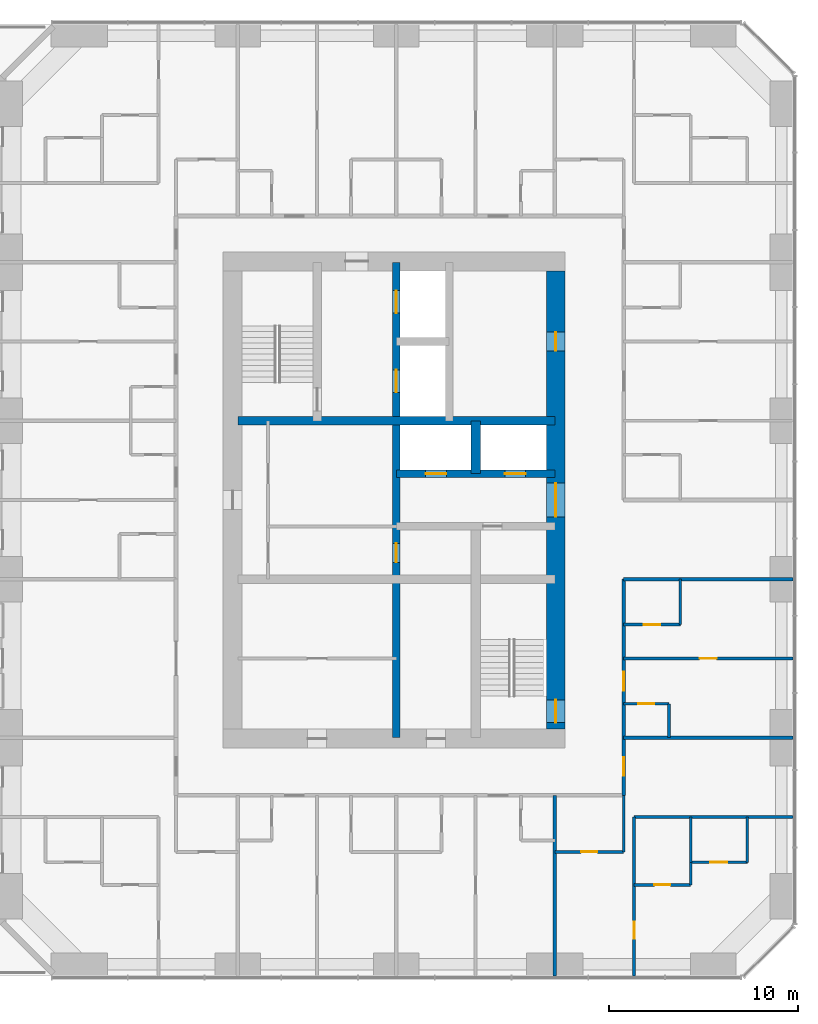
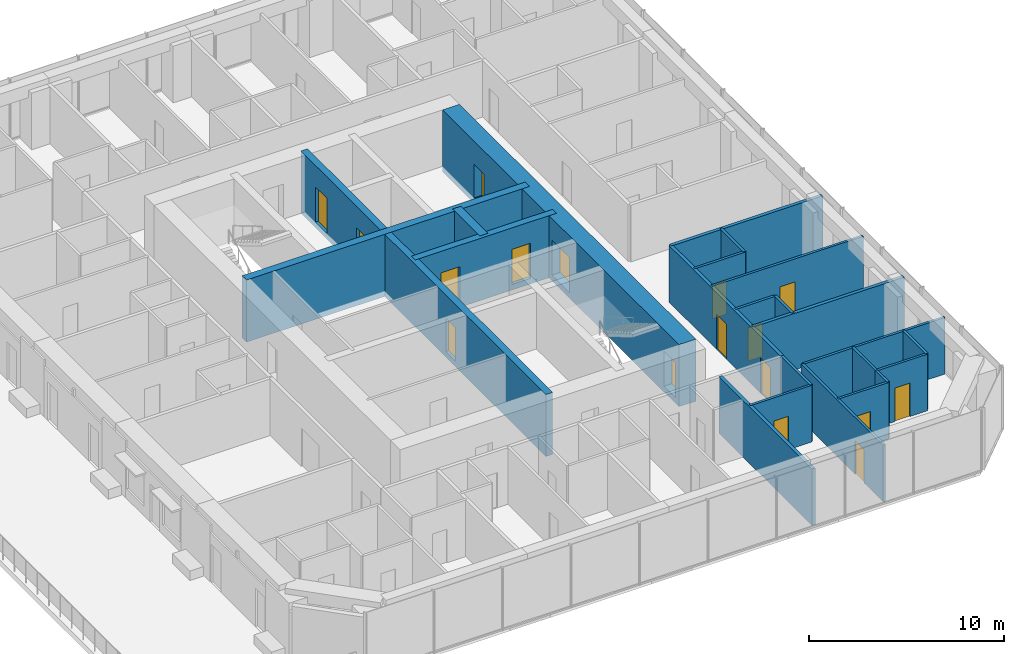
# One storey, part 9 of 13: 23 walls, 17 doors, 17 openings.
"""IFC4 building model written with IfcOpenShell, lengths in metres."""

from ifc_helpers import new_model, si_unit, direction, frame, frame_2d, origin, place, context, subcontext, project, spatial, rectangle, extrude, material, layer, layer_set, type_object, element, fill, save


model = new_model("IFC4")

# Units and contexts
model_context = context("Model", 3, precision=1e-05, world=origin(), true_north=direction((0.0, 1.0)))
body_context = subcontext(model_context, "Body", "Model", "MODEL_VIEW")
ifc_project = project(units=[si_unit("LENGTHUNIT", "METRE"), si_unit("AREAUNIT", "SQUARE_METRE"), si_unit("VOLUMEUNIT", "CUBIC_METRE"), si_unit("PLANEANGLEUNIT", "RADIAN"), si_unit("MASSUNIT", "GRAM", prefix="KILO")], contexts=[model_context])

# Site, building, storey
site_placement = place(None, origin())
site = spatial("IfcSite", under=ifc_project, at=site_placement, CompositionType="ELEMENT")
building_placement = place(site_placement, origin())
building = spatial("IfcBuilding", under=site, at=building_placement, Name="Dunama Terrace Hotel", CompositionType="ELEMENT")
storey_placement = place(building_placement, frame((0.0, 0.0, 225.60009765625)))
storey = spatial("IfcBuildingStorey", under=building, at=storey_placement, Name="L58", CompositionType="ELEMENT", Elevation=225.60009765625)

# Walls
ifc_material_1 = material(Name="Gypsum board partition", Category="masonry")
ifc_layer_1 = layer(ifc_material_1, 0.14990234375)
ifc_layer_set_1 = layer_set([ifc_layer_1], Name="Bathroom partition 150")
wall_type_1 = type_object("IfcWallType", Name="Bathroom partition 150", PredefinedType="PARTITIONING", material=ifc_layer_set_1)
wall_1_placement = place(storey_placement, frame((45.64990234375, 10.75, 0.0), z_axis=(0.0, 0.0, 1.0), x_axis=(0.0, 1.0, 0.0)))
element("IfcWall", 1, at=wall_1_placement, inside=storey, type_object=wall_type_1, Name="Bathroom partition 150 L58", PredefinedType="PARTITIONING", context=body_context, shape_type="SweptSolid", body=[
    extrude(rectangle(XDim=3.0, YDim=0.14990234375, at=frame_2d((1.5, 0.0))), origin(), (0.0, 0.0, 1.0), 3.5498046875),
])
wall_2_placement = place(storey_placement, frame((48.050048828125, 16.800048828125, 0.0), z_axis=(0.0, 0.0, 1.0), x_axis=(0.0, 1.0, 0.0)))
element("IfcWall", 2, at=wall_2_placement, inside=storey, type_object=wall_type_1, Name="Bathroom partition 150 L58", PredefinedType="PARTITIONING", context=body_context, shape_type="SweptSolid", body=[
    extrude(rectangle(XDim=1.800048828125, YDim=0.14990234375, at=frame_2d((0.89990234375, 0.0))), origin(), (0.0, 0.0, 1.0), 3.5498046875),
])
wall_3_placement = place(storey_placement, frame((48.64990234375, 22.800048828125, 0.0), z_axis=(0.0, 0.0, 1.0), x_axis=(0.0, 1.0, 0.0)))
element("IfcWall", 3, at=wall_3_placement, inside=storey, type_object=wall_type_1, Name="Bathroom partition 150 L58", PredefinedType="PARTITIONING", context=body_context, shape_type="SweptSolid", body=[
    extrude(rectangle(XDim=2.39990234375, YDim=0.14990234375, at=frame_2d((1.199951171875, 0.0))), origin(), (0.0, 0.0, 1.0), 3.5498046875),
])
wall_4_placement = place(storey_placement, frame((49.199951171875, 9.0, 0.0), z_axis=(0.0, 0.0, 1.0), x_axis=(0.0, 1.0, 0.0)))
element("IfcWall", 4, at=wall_4_placement, inside=storey, type_object=wall_type_1, Name="Bathroom partition 150 L58", PredefinedType="PARTITIONING", context=body_context, shape_type="SweptSolid", body=[
    extrude(rectangle(XDim=1.199951171875, YDim=0.14990234375, at=frame_2d((0.60009765625, 0.0))), origin(), (0.0, 0.0, 1.0), 3.5498046875),
])

# Wall, opening, door
wall_5_placement = place(storey_placement, frame((46.199951171875, 9.0, 0.0), z_axis=(0.0, 0.0, 1.0), x_axis=(1.0, 0.0, 0.0)))
wall_5 = element("IfcWall", 5, at=wall_5_placement, inside=storey, type_object=wall_type_1, Name="Bathroom partition 150 L58", PredefinedType="PARTITIONING", context=body_context, shape_type="SweptSolid", body=[
    extrude(rectangle(XDim=3.0, YDim=0.14990234375, at=frame_2d((1.5, 0.0))), origin(), (0.0, 0.0, 1.0), 3.5498046875),
])
opening_1_placement = place(wall_5_placement, frame((1.074951171875, 0.0, 0.0)))
opening_1 = element("IfcOpeningElement", 6, at=opening_1_placement, cuts=wall_5, Name="Opening L58-058", PredefinedType="OPENING", context=body_context, shape_type="SweptSolid", body=[
    extrude(rectangle(XDim=0.85009765625, YDim=2.10009765625, at=frame_2d((0.425048828125, 1.050048828125))), frame((0.0, 0.0849609375, 0.0), z_axis=(0.0, -1.0, 0.0), x_axis=(1.0, 0.0, 0.0)), (0.0, 0.0, 1.0), 0.169921875),
])
ifc_material_2 = material(Name="Timber door with steel frame", Category="steel")
door_type_1 = type_object("IfcDoorType", Name="Bathroom door 850", OperationType="SINGLE_SWING_LEFT", PredefinedType="DOOR", material=ifc_material_2)
door_1_placement = place(opening_1_placement, origin())
door_1 = element("IfcDoor", 7, at=door_1_placement, inside=storey, type_object=door_type_1, Name="Door to en-suite bathroom L58-058, type D2", OperationType="SINGLE_SWING_RIGHT", OverallHeight=2.10009765625, OverallWidth=0.85009765625, PredefinedType="DOOR", context=body_context, shape_type="SweptSolid", body=[
    extrude(rectangle(XDim=0.85009765625, YDim=2.10009765625, at=frame_2d((0.425048828125, 1.050048828125))), frame((0.0, 0.02490234375, 0.0), z_axis=(0.0, -1.0, 0.0), x_axis=(1.0, 0.0, 0.0)), (0.0, 0.0, 1.0), 0.050048828125),
])
fill(opening_1, door_1)

wall_6_placement = place(storey_placement, frame((42.0, 10.75, 0.0), z_axis=(0.0, 0.0, 1.0), x_axis=(1.0, 0.0, 0.0)))
wall_6 = element("IfcWall", 8, at=wall_6_placement, inside=storey, type_object=wall_type_1, Name="Bathroom partition 150 L58", PredefinedType="PARTITIONING", context=body_context, shape_type="SweptSolid", body=[
    extrude(rectangle(XDim=3.64990234375, YDim=0.14990234375, at=frame_2d((1.824951171875, 0.0))), origin(), (0.0, 0.0, 1.0), 3.5498046875),
])
opening_2_placement = place(wall_6_placement, frame((1.39990234375, 0.0, 0.0)))
opening_2 = element("IfcOpeningElement", 9, at=opening_2_placement, cuts=wall_6, Name="Opening L58-056", PredefinedType="OPENING", context=body_context, shape_type="SweptSolid", body=[
    extrude(rectangle(XDim=0.85009765625, YDim=2.10009765625, at=frame_2d((0.425048828125, 1.050048828125))), frame((0.0, 0.0849609375, 0.0), z_axis=(0.0, -1.0, 0.0), x_axis=(1.0, 0.0, 0.0)), (0.0, 0.0, 1.0), 0.169921875),
])
door_2_placement = place(opening_2_placement, origin())
door_2 = element("IfcDoor", 10, at=door_2_placement, inside=storey, type_object=door_type_1, Name="Door to powder room L58-056, type D2", OperationType="SINGLE_SWING_LEFT", OverallHeight=2.10009765625, OverallWidth=0.85009765625, PredefinedType="DOOR", context=body_context, shape_type="SweptSolid", body=[
    extrude(rectangle(XDim=0.85009765625, YDim=2.10009765625, at=frame_2d((0.425048828125, 1.050048828125))), frame((0.0, 0.02490234375, 0.0), z_axis=(0.0, -1.0, 0.0), x_axis=(1.0, 0.0, 0.0)), (0.0, 0.0, 1.0), 0.050048828125),
])
fill(opening_2, door_2)

wall_7_placement = place(storey_placement, frame((45.64990234375, 18.60009765625, 0.0), z_axis=(0.0, 0.0, 1.0), x_axis=(1.0, 0.0, 0.0)))
wall_7 = element("IfcWall", 11, at=wall_7_placement, inside=storey, type_object=wall_type_1, Name="Bathroom partition 150 L58", PredefinedType="PARTITIONING", context=body_context, shape_type="SweptSolid", body=[
    extrude(rectangle(XDim=2.400146484375, YDim=0.14990234375, at=frame_2d((1.2001953125, 0.0))), origin(), (0.0, 0.0, 1.0), 3.5498046875),
])
opening_3_placement = place(wall_7_placement, frame((0.77490234375, 0.0, 0.0)))
opening_3 = element("IfcOpeningElement", 12, at=opening_3_placement, cuts=wall_7, Name="Opening L58-025", PredefinedType="OPENING", context=body_context, shape_type="SweptSolid", body=[
    extrude(rectangle(XDim=0.85009765625, YDim=2.10009765625, at=frame_2d((0.425048828125, 1.050048828125))), frame((0.0, 0.0849609375, 0.0), z_axis=(0.0, -1.0, 0.0), x_axis=(1.0, 0.0, 0.0)), (0.0, 0.0, 1.0), 0.169921875),
])
door_3_placement = place(opening_3_placement, frame((0.85009765625, 0.0, 0.0), z_axis=(0.0, 0.0, 1.0), x_axis=(-1.0, 0.0, 0.0)))
door_3 = element("IfcDoor", 13, at=door_3_placement, inside=storey, type_object=door_type_1, Name="Door to powder room L58-025, type D2", OperationType="SINGLE_SWING_RIGHT", OverallHeight=2.10009765625, OverallWidth=0.85009765625, PredefinedType="DOOR", context=body_context, shape_type="SweptSolid", body=[
    extrude(rectangle(XDim=0.85009765625, YDim=2.10009765625, at=frame_2d((0.425048828125, 1.050048828125))), frame((0.0, 0.025146484375, 0.0), z_axis=(0.0, -1.0, 0.0), x_axis=(1.0, 0.0, 0.0)), (0.0, 0.0, 1.0), 0.050048828125),
])
fill(opening_3, door_3)

wall_8_placement = place(storey_placement, frame((45.64990234375, 22.800048828125, 0.0), z_axis=(0.0, 0.0, 1.0), x_axis=(1.0, 0.0, 0.0)))
wall_8 = element("IfcWall", 14, at=wall_8_placement, inside=storey, type_object=wall_type_1, Name="Bathroom partition 150 L58", PredefinedType="PARTITIONING", context=body_context, shape_type="SweptSolid", body=[
    extrude(rectangle(XDim=3.0, YDim=0.14990234375, at=frame_2d((1.5, 0.0))), origin(), (0.0, 0.0, 1.0), 3.5498046875),
])
opening_4_placement = place(wall_8_placement, frame((1.074951171875, 0.0, 0.0)))
opening_4 = element("IfcOpeningElement", 15, at=opening_4_placement, cuts=wall_8, Name="Opening L58-027", PredefinedType="OPENING", context=body_context, shape_type="SweptSolid", body=[
    extrude(rectangle(XDim=0.85009765625, YDim=2.10009765625, at=frame_2d((0.425048828125, 1.050048828125))), frame((0.0, 0.0849609375, 0.0), z_axis=(0.0, -1.0, 0.0), x_axis=(1.0, 0.0, 0.0)), (0.0, 0.0, 1.0), 0.169921875),
])
door_4_placement = place(opening_4_placement, origin())
door_4 = element("IfcDoor", 16, at=door_4_placement, inside=storey, type_object=door_type_1, Name="Door to en-suite bathroom L58-027, type D2", OperationType="SINGLE_SWING_LEFT", OverallHeight=2.10009765625, OverallWidth=0.85009765625, PredefinedType="DOOR", context=body_context, shape_type="SweptSolid", body=[
    extrude(rectangle(XDim=0.85009765625, YDim=2.10009765625, at=frame_2d((0.425048828125, 1.050048828125))), frame((0.0, 0.02490234375, 0.0), z_axis=(0.0, -1.0, 0.0), x_axis=(1.0, 0.0, 0.0)), (0.0, 0.0, 1.0), 0.050048828125),
])
fill(opening_4, door_4)

# Wall, openings, doors
ifc_material_3 = material(Name="Concrete C50/60", Category="concrete")
ifc_layer_2 = layer(ifc_material_3, 0.39990234375)
ifc_layer_set_2 = layer_set([ifc_layer_2], Name="Core inner wall 400")
wall_type_2 = type_object("IfcWallType", Name="Core inner wall 400", PredefinedType="SHEAR", material=ifc_layer_set_2)
wall_9_placement = place(storey_placement, frame((33.60009765625, 16.800048828125, -0.35009765625), z_axis=(0.0, 0.0, 1.0), x_axis=(0.0, 1.0, 0.0)))
wall_9 = element("IfcWall", 17, at=wall_9_placement, inside=storey, type_object=wall_type_2, Name="Core inner wall 400 L58", PredefinedType="SHEAR", context=body_context, shape_type="SweptSolid", body=[
    extrude(rectangle(XDim=25.199951171875, YDim=0.39990234375, at=frame_2d((12.60009765625, 0.0))), origin(), (0.0, 0.0, 1.0), 3.89990234375),
])
opening_5_placement = place(wall_9_placement, frame((22.5, 0.0, 0.35009765625)))
opening_5 = element("IfcOpeningElement", 18, at=opening_5_placement, cuts=wall_9, Name="Opening L58-014", PredefinedType="OPENING", context=body_context, shape_type="SweptSolid", body=[
    extrude(rectangle(XDim=1.199951171875, YDim=2.199951171875, at=frame_2d((0.60009765625, 1.10009765625))), frame((0.0, 0.2099609375, 0.0), z_axis=(0.0, -1.0, 0.0), x_axis=(1.0, 0.0, 0.0)), (0.0, 0.0, 1.0), 0.419921875),
])
opening_6_placement = place(wall_9_placement, frame((18.300048828125, 0.0, 0.35009765625)))
opening_6 = element("IfcOpeningElement", 19, at=opening_6_placement, cuts=wall_9, Name="Opening L58-015", PredefinedType="OPENING", context=body_context, shape_type="SweptSolid", body=[
    extrude(rectangle(XDim=1.199951171875, YDim=2.199951171875, at=frame_2d((0.60009765625, 1.10009765625))), frame((0.0, 0.2099609375, 0.0), z_axis=(0.0, -1.0, 0.0), x_axis=(1.0, 0.0, 0.0)), (0.0, 0.0, 1.0), 0.419921875),
])
opening_7_placement = place(wall_9_placement, frame((9.300048828125, 0.0, 0.35009765625)))
opening_7 = element("IfcOpeningElement", 20, at=opening_7_placement, cuts=wall_9, Name="Opening L58-073", PredefinedType="OPENING", context=body_context, shape_type="SweptSolid", body=[
    extrude(rectangle(XDim=1.0, YDim=2.10009765625, at=frame_2d((0.5, 1.050048828125))), frame((0.0, 0.2099609375, 0.0), z_axis=(0.0, -1.0, 0.0), x_axis=(1.0, 0.0, 0.0)), (0.0, 0.0, 1.0), 0.419921875),
])
ifc_material_4 = material(Name="Stainless steel lift door", Category="steel")
door_type_2 = type_object("IfcDoorType", Name="Firefighting lift landing door 1200", OperationType="DOUBLE_DOOR_SLIDING", PredefinedType="DOOR", material=ifc_material_4)
door_5_placement = place(opening_5_placement, origin())
door_5 = element("IfcDoor", 21, at=door_5_placement, inside=storey, type_object=door_type_2, Name="Landing door FL1 L58-014, type LD2", OperationType="DOUBLE_DOOR_SLIDING", OverallHeight=2.199951171875, OverallWidth=1.199951171875, PredefinedType="DOOR", context=body_context, shape_type="SweptSolid", body=[
    extrude(rectangle(XDim=1.199951171875, YDim=2.199951171875, at=frame_2d((0.60009765625, 1.10009765625))), frame((0.0, 0.02490234375, 0.0), z_axis=(0.0, -1.0, 0.0), x_axis=(1.0, 0.0, 0.0)), (0.0, 0.0, 1.0), 0.050048828125),
])
fill(opening_5, door_5)
door_6_placement = place(opening_6_placement, origin())
door_6 = element("IfcDoor", 22, at=door_6_placement, inside=storey, type_object=door_type_2, Name="Landing door FL2 L58-015, type LD2", OperationType="DOUBLE_DOOR_SLIDING", OverallHeight=2.199951171875, OverallWidth=1.199951171875, PredefinedType="DOOR", context=body_context, shape_type="SweptSolid", body=[
    extrude(rectangle(XDim=1.199951171875, YDim=2.199951171875, at=frame_2d((0.60009765625, 1.10009765625))), frame((0.0, 0.02490234375, 0.0), z_axis=(0.0, -1.0, 0.0), x_axis=(1.0, 0.0, 0.0)), (0.0, 0.0, 1.0), 0.050048828125),
])
fill(opening_6, door_6)
ifc_material_5 = material(Name="Timber door with steel frame", Category="steel")
door_type_3 = type_object("IfcDoorType", Name="Service door 1000", OperationType="SINGLE_SWING_LEFT", PredefinedType="DOOR", material=ifc_material_5)
door_7_placement = place(opening_7_placement, frame((1.0, 0.0, 0.0), z_axis=(0.0, 0.0, 1.0), x_axis=(-1.0, 0.0, 0.0)))
door_7 = element("IfcDoor", 23, at=door_7_placement, inside=storey, type_object=door_type_3, Name="Door to service riser L58-073, type D7", OperationType="SINGLE_SWING_RIGHT", OverallHeight=2.10009765625, OverallWidth=1.0, PredefinedType="DOOR", context=body_context, shape_type="SweptSolid", body=[
    extrude(rectangle(XDim=1.0, YDim=2.10009765625, at=frame_2d((0.5, 1.050048828125))), frame((0.0, 0.025146484375, 0.0), z_axis=(0.0, -1.0, 0.0), x_axis=(1.0, 0.0, 0.0)), (0.0, 0.0, 1.0), 0.050048828125),
])
fill(opening_7, door_7)

wall_10_placement = place(storey_placement, frame((33.60009765625, 30.800048828125, -0.35009765625), z_axis=(0.0, 0.0, 1.0), x_axis=(1.0, 0.0, 0.0)))
wall_10 = element("IfcWall", 24, at=wall_10_placement, inside=storey, type_object=wall_type_2, Name="Core inner wall 400 L58", PredefinedType="SHEAR", context=body_context, shape_type="SweptSolid", body=[
    extrude(rectangle(XDim=8.39990234375, YDim=0.39990234375, at=frame_2d((4.199951171875, 0.0))), origin(), (0.0, 0.0, 1.0), 3.89990234375),
])
opening_8_placement = place(wall_10_placement, frame((1.550048828125, 0.0, 0.35009765625)))
opening_8 = element("IfcOpeningElement", 25, at=opening_8_placement, cuts=wall_10, Name="Opening L58-012", PredefinedType="OPENING", context=body_context, shape_type="SweptSolid", body=[
    extrude(rectangle(XDim=1.10009765625, YDim=2.199951171875, at=frame_2d((0.550048828125, 1.10009765625))), frame((0.0, 0.2099609375, 0.0), z_axis=(0.0, -1.0, 0.0), x_axis=(1.0, 0.0, 0.0)), (0.0, 0.0, 1.0), 0.419921875),
])
opening_9_placement = place(wall_10_placement, frame((5.75, 0.0, 0.35009765625)))
opening_9 = element("IfcOpeningElement", 26, at=opening_9_placement, cuts=wall_10, Name="Opening L58-013", PredefinedType="OPENING", context=body_context, shape_type="SweptSolid", body=[
    extrude(rectangle(XDim=1.10009765625, YDim=2.199951171875, at=frame_2d((0.550048828125, 1.10009765625))), frame((0.0, 0.2099609375, 0.0), z_axis=(0.0, -1.0, 0.0), x_axis=(1.0, 0.0, 0.0)), (0.0, 0.0, 1.0), 0.419921875),
])
ifc_material_6 = material(Name="Stainless steel lift door", Category="steel")
door_type_4 = type_object("IfcDoorType", Name="Lift landing door 1100", OperationType="DOUBLE_DOOR_SLIDING", PredefinedType="DOOR", material=ifc_material_6)
door_8_placement = place(opening_8_placement, origin())
door_8 = element("IfcDoor", 27, at=door_8_placement, inside=storey, type_object=door_type_4, Name="Landing door PD1 L58-012, type LD1", OperationType="DOUBLE_DOOR_SLIDING", OverallHeight=2.199951171875, OverallWidth=1.10009765625, PredefinedType="DOOR", context=body_context, shape_type="SweptSolid", body=[
    extrude(rectangle(XDim=1.10009765625, YDim=2.199951171875, at=frame_2d((0.550048828125, 1.10009765625))), frame((0.0, 0.02490234375, 0.0), z_axis=(0.0, -1.0, 0.0), x_axis=(1.0, 0.0, 0.0)), (0.0, 0.0, 1.0), 0.050048828125),
])
fill(opening_8, door_8)
door_9_placement = place(opening_9_placement, origin())
door_9 = element("IfcDoor", 28, at=door_9_placement, inside=storey, type_object=door_type_4, Name="Landing door PD2 L58-013, type LD1", OperationType="DOUBLE_DOOR_SLIDING", OverallHeight=2.199951171875, OverallWidth=1.10009765625, PredefinedType="DOOR", context=body_context, shape_type="SweptSolid", body=[
    extrude(rectangle(XDim=1.10009765625, YDim=2.199951171875, at=frame_2d((0.550048828125, 1.10009765625))), frame((0.0, 0.02490234375, 0.0), z_axis=(0.0, -1.0, 0.0), x_axis=(1.0, 0.0, 0.0)), (0.0, 0.0, 1.0), 0.050048828125),
])
fill(opening_9, door_9)

# Walls
ifc_material_7 = material(Name="Concrete C50/60", Category="concrete")
ifc_layer_3 = layer(ifc_material_7, 0.449951171875)
ifc_layer_set_3 = layer_set([ifc_layer_3], Name="Core inner wall 450")
wall_type_3 = type_object("IfcWallType", Name="Core inner wall 450", PredefinedType="SHEAR", material=ifc_layer_set_3)
wall_11_placement = place(storey_placement, frame((25.199951171875, 33.60009765625, -0.35009765625), z_axis=(0.0, 0.0, 1.0), x_axis=(1.0, 0.0, 0.0)))
element("IfcWall", 29, at=wall_11_placement, inside=storey, type_object=wall_type_3, Name="Core inner wall 450 L58", PredefinedType="SHEAR", context=body_context, shape_type="SweptSolid", body=[
    extrude(rectangle(XDim=16.800048828125, YDim=0.449951171875, at=frame_2d((8.39990234375, 0.0))), origin(), (0.0, 0.0, 1.0), 3.89990234375),
])
ifc_material_8 = material(Name="Concrete C50/60", Category="concrete")
ifc_layer_4 = layer(ifc_material_8, 0.5)
ifc_layer_set_4 = layer_set([ifc_layer_4], Name="Core inner wall 500")
wall_type_4 = type_object("IfcWallType", Name="Core inner wall 500", PredefinedType="SHEAR", material=ifc_layer_set_4)
wall_12_placement = place(storey_placement, frame((37.800048828125, 30.800048828125, -0.35009765625), z_axis=(0.0, 0.0, 1.0), x_axis=(0.0, 1.0, 0.0)))
element("IfcWall", 30, at=wall_12_placement, inside=storey, type_object=wall_type_4, Name="Core inner wall 500 L58", PredefinedType="SHEAR", context=body_context, shape_type="SweptSolid", body=[
    extrude(rectangle(XDim=2.800048828125, YDim=0.5, at=frame_2d((1.39990234375, 0.0))), origin(), (0.0, 0.0, 1.0), 3.89990234375),
])

# Wall, openings, doors
ifc_material_9 = material(Name="Concrete C60/75", Category="concrete")
ifc_layer_5 = layer(ifc_material_9, 1.0)
ifc_layer_set_5 = layer_set([ifc_layer_5], Name="Core wall 1000")
wall_type_5 = type_object("IfcWallType", Name="Core wall 1000", PredefinedType="SHEAR", material=ifc_layer_set_5)
wall_13_placement = place(storey_placement, frame((42.050048828125, 17.25, -0.35009765625), z_axis=(0.0, 0.0, 1.0), x_axis=(0.0, 1.0, 0.0)))
wall_13 = element("IfcWall", 31, at=wall_13_placement, inside=storey, type_object=wall_type_5, Name="Core wall east L58", PredefinedType="SHEAR", context=body_context, shape_type="SweptSolid", body=[
    extrude(rectangle(XDim=24.300048828125, YDim=1.0, at=frame_2d((12.14990234375, 0.0))), origin(), (0.0, 0.0, 1.0), 3.89990234375),
])
opening_10_placement = place(wall_13_placement, frame((0.35009765625, 0.0, 0.35009765625)))
opening_10 = element("IfcOpeningElement", 32, at=opening_10_placement, cuts=wall_13, Name="Opening L58-011", PredefinedType="OPENING", context=body_context, shape_type="SweptSolid", body=[
    extrude(rectangle(XDim=1.199951171875, YDim=2.199951171875, at=frame_2d((0.60009765625, 1.10009765625))), frame((0.0, 0.510009765625, 0.0), z_axis=(0.0, -1.0, 0.0), x_axis=(1.0, 0.0, 0.0)), (0.0, 0.0, 1.0), 1.02001953125),
])
opening_11_placement = place(wall_13_placement, frame((11.25, 0.0, 0.35009765625)))
opening_11 = element("IfcOpeningElement", 33, at=opening_11_placement, cuts=wall_13, Name="Opening L58-075", PredefinedType="OPENING", context=body_context, shape_type="SweptSolid", body=[
    extrude(rectangle(XDim=1.800048828125, YDim=2.199951171875, at=frame_2d((0.89990234375, 1.10009765625))), frame((0.0, 0.510009765625, 0.0), z_axis=(0.0, -1.0, 0.0), x_axis=(1.0, 0.0, 0.0)), (0.0, 0.0, 1.0), 1.02001953125),
])
opening_12_placement = place(wall_13_placement, frame((20.050048828125, 0.0, 0.35009765625)))
opening_12 = element("IfcOpeningElement", 34, at=opening_12_placement, cuts=wall_13, Name="Opening L58-077", PredefinedType="OPENING", context=body_context, shape_type="SweptSolid", body=[
    extrude(rectangle(XDim=1.0, YDim=2.10009765625, at=frame_2d((0.5, 1.050048828125))), frame((0.0, 0.510009765625, 0.0), z_axis=(0.0, -1.0, 0.0), x_axis=(1.0, 0.0, 0.0)), (0.0, 0.0, 1.0), 1.02001953125),
])
ifc_material_10 = material(Name="Timber door with steel frame", Category="steel")
door_type_5 = type_object("IfcDoorType", Name="Lift lobby double door 1800", OperationType="DOUBLE_DOOR_DOUBLE_SWING", PredefinedType="DOOR", material=ifc_material_10)
door_10_placement = place(opening_11_placement, origin())
door_10 = element("IfcDoor", 35, at=door_10_placement, inside=storey, type_object=door_type_5, Name="Door to lift lobby L58-075, type D3", OperationType="DOUBLE_DOOR_DOUBLE_SWING", OverallHeight=2.199951171875, OverallWidth=1.800048828125, PredefinedType="DOOR", context=body_context, shape_type="SweptSolid", body=[
    extrude(rectangle(XDim=1.800048828125, YDim=2.199951171875, at=frame_2d((0.89990234375, 1.10009765625))), frame((0.0, 0.02490234375, 0.0), z_axis=(0.0, -1.0, 0.0), x_axis=(1.0, 0.0, 0.0)), (0.0, 0.0, 1.0), 0.050048828125),
])
fill(opening_11, door_10)
door_11_placement = place(opening_12_placement, origin())
door_11 = element("IfcDoor", 36, at=door_11_placement, inside=storey, type_object=door_type_3, Name="Door to ice and vending room L58-077, type D7", OperationType="SINGLE_SWING_RIGHT", OverallHeight=2.10009765625, OverallWidth=1.0, PredefinedType="DOOR", context=body_context, shape_type="SweptSolid", body=[
    extrude(rectangle(XDim=1.0, YDim=2.10009765625, at=frame_2d((0.5, 1.050048828125))), frame((0.0, 0.02490234375, 0.0), z_axis=(0.0, -1.0, 0.0), x_axis=(1.0, 0.0, 0.0)), (0.0, 0.0, 1.0), 0.050048828125),
])
fill(opening_12, door_11)
ifc_material_11 = material(Name="Timber door with steel frame", Category="steel")
door_type_6 = type_object("IfcDoorType", Name="Stair door 1200", OperationType="SINGLE_SWING_LEFT", PredefinedType="DOOR", material=ifc_material_11)
door_12_placement = place(opening_10_placement, origin())
door_12 = element("IfcDoor", 37, at=door_12_placement, inside=storey, type_object=door_type_6, Name="Stair door ST2 L58-011, type D5", OperationType="SINGLE_SWING_LEFT", OverallHeight=2.199951171875, OverallWidth=1.199951171875, PredefinedType="DOOR", context=body_context, shape_type="SweptSolid", body=[
    extrude(rectangle(XDim=1.199951171875, YDim=2.199951171875, at=frame_2d((0.60009765625, 1.10009765625))), frame((0.0, 0.02490234375, 0.0), z_axis=(0.0, -1.0, 0.0), x_axis=(1.0, 0.0, 0.0)), (0.0, 0.0, 1.0), 0.050048828125),
])
fill(opening_10, door_12)

ifc_material_12 = material(Name="Concrete blockwork", Category="masonry")
ifc_layer_6 = layer(ifc_material_12, 0.199951171875)
ifc_layer_set_6 = layer_set([ifc_layer_6], Name="Corridor partition 200")
wall_type_6 = type_object("IfcWallType", Name="Corridor partition 200", PredefinedType="PARTITIONING", material=ifc_layer_set_6)
wall_14_placement = place(storey_placement, frame((45.64990234375, 25.199951171875, 0.0), z_axis=(0.0, 0.0, 1.0), x_axis=(0.0, -1.0, 0.0)))
wall_14 = element("IfcWall", 38, at=wall_14_placement, inside=storey, type_object=wall_type_6, Name="Corridor partition 200 L58", PredefinedType="PARTITIONING", context=body_context, shape_type="SweptSolid", body=[
    extrude(rectangle(XDim=11.449951171875, YDim=0.199951171875, at=frame_2d((5.72509765625, 0.0))), origin(), (0.0, 0.0, 1.0), 3.5498046875),
])
opening_13_placement = place(wall_14_placement, frame((4.89990234375, 0.0, 0.0)))
opening_13 = element("IfcOpeningElement", 39, at=opening_13_placement, cuts=wall_14, Name="Opening L58-024", PredefinedType="OPENING", context=body_context, shape_type="SweptSolid", body=[
    extrude(rectangle(XDim=1.0, YDim=2.199951171875, at=frame_2d((0.5, 1.10009765625))), frame((0.0, 0.10986328125, 0.0), z_axis=(0.0, -1.0, 0.0), x_axis=(1.0, 0.0, 0.0)), (0.0, 0.0, 1.0), 0.219970703125),
])
opening_14_placement = place(wall_14_placement, frame((9.425048828125, 0.0, 0.0)))
opening_14 = element("IfcOpeningElement", 40, at=opening_14_placement, cuts=wall_14, Name="Opening L58-055", PredefinedType="OPENING", context=body_context, shape_type="SweptSolid", body=[
    extrude(rectangle(XDim=1.0, YDim=2.199951171875, at=frame_2d((0.5, 1.10009765625))), frame((0.0, 0.10986328125, 0.0), z_axis=(0.0, -1.0, 0.0), x_axis=(1.0, 0.0, 0.0)), (0.0, 0.0, 1.0), 0.219970703125),
])
ifc_material_13 = material(Name="Timber door with steel frame", Category="steel")
door_type_7 = type_object("IfcDoorType", Name="Guest room door 1000", OperationType="SINGLE_SWING_LEFT", PredefinedType="DOOR", material=ifc_material_13)
door_13_placement = place(opening_13_placement, origin())
door_13 = element("IfcDoor", 41, at=door_13_placement, inside=storey, type_object=door_type_7, Name="Door to one-bedroom suite living room L58-024, type D1", OperationType="SINGLE_SWING_RIGHT", OverallHeight=2.199951171875, OverallWidth=1.0, PredefinedType="DOOR", context=body_context, shape_type="SweptSolid", body=[
    extrude(rectangle(XDim=1.0, YDim=2.199951171875, at=frame_2d((0.5, 1.10009765625))), frame((0.0, 0.02490234375, 0.0), z_axis=(0.0, -1.0, 0.0), x_axis=(1.0, 0.0, 0.0)), (0.0, 0.0, 1.0), 0.050048828125),
])
fill(opening_13, door_13)
door_14_placement = place(opening_14_placement, origin())
door_14 = element("IfcDoor", 42, at=door_14_placement, inside=storey, type_object=door_type_7, Name="Door to grand corner suite living room L58-055, type D1", OperationType="SINGLE_SWING_RIGHT", OverallHeight=2.199951171875, OverallWidth=1.0, PredefinedType="DOOR", context=body_context, shape_type="SweptSolid", body=[
    extrude(rectangle(XDim=1.0, YDim=2.199951171875, at=frame_2d((0.5, 1.10009765625))), frame((0.0, 0.02490234375, 0.0), z_axis=(0.0, -1.0, 0.0), x_axis=(1.0, 0.0, 0.0)), (0.0, 0.0, 1.0), 0.050048828125),
])
fill(opening_14, door_14)

# Walls
wall_15_placement = place(storey_placement, frame((54.617919921875, 25.199951171875, 0.0), z_axis=(0.0, 0.0, 1.0), x_axis=(-1.0, 0.0, 0.0)))
element("IfcWall", 43, at=wall_15_placement, inside=storey, type_object=wall_type_6, Name="Corridor partition 200 L58", PredefinedType="PARTITIONING", context=body_context, shape_type="SweptSolid", body=[
    extrude(rectangle(XDim=8.968017578125, YDim=0.199951171875, at=frame_2d((4.48388671875, 0.0))), origin(), (0.0, 0.0, 1.0), 3.5498046875),
])
ifc_material_14 = material(Name="Concrete blockwork", Category="masonry")
ifc_layer_7 = layer(ifc_material_14, 0.199951171875)
ifc_layer_set_7 = layer_set([ifc_layer_7], Name="Party wall 200")
wall_type_7 = type_object("IfcWallType", Name="Party wall 200", PredefinedType="PARTITIONING", material=ifc_layer_set_7)
wall_16_placement = place(storey_placement, frame((42.0, 4.181884765625, 0.0), z_axis=(0.0, 0.0, 1.0), x_axis=(0.0, 1.0, 0.0)))
element("IfcWall", 44, at=wall_16_placement, inside=storey, type_object=wall_type_7, Name="Party wall 200 L58", PredefinedType="PARTITIONING", context=body_context, shape_type="SweptSolid", body=[
    extrude(rectangle(XDim=9.568115234375, YDim=0.199951171875, at=frame_2d((4.7841796875, 0.0))), origin(), (0.0, 0.0, 1.0), 3.5498046875),
])
wall_17_placement = place(storey_placement, frame((45.64990234375, 16.800048828125, 0.0), z_axis=(0.0, 0.0, 1.0), x_axis=(1.0, 0.0, 0.0)))
element("IfcWall", 45, at=wall_17_placement, inside=storey, type_object=wall_type_7, Name="Party wall 200 L58", PredefinedType="PARTITIONING", context=body_context, shape_type="SweptSolid", body=[
    extrude(rectangle(XDim=8.968017578125, YDim=0.199951171875, at=frame_2d((4.48388671875, 0.0))), origin(), (0.0, 0.0, 1.0), 3.5498046875),
])

# Wall, opening, door
ifc_material_15 = material(Name="Gypsum board partition", Category="masonry")
ifc_layer_8 = layer(ifc_material_15, 0.14990234375)
ifc_layer_set_8 = layer_set([ifc_layer_8], Name="Room partition 150")
wall_type_8 = type_object("IfcWallType", Name="Room partition 150", PredefinedType="PARTITIONING", material=ifc_layer_set_8)
wall_18_placement = place(storey_placement, frame((46.199951171875, 4.181884765625, 0.0), z_axis=(0.0, 0.0, 1.0), x_axis=(0.0, 1.0, 0.0)))
wall_18 = element("IfcWall", 46, at=wall_18_placement, inside=storey, type_object=wall_type_8, Name="Room partition 150 L58", PredefinedType="PARTITIONING", context=body_context, shape_type="SweptSolid", body=[
    extrude(rectangle(XDim=8.418212890625, YDim=0.14990234375, at=frame_2d((4.208984375, 0.0))), origin(), (0.0, 0.0, 1.0), 3.5498046875),
])
opening_15_placement = place(wall_18_placement, frame((1.968017578125, 0.0, 0.0)))
opening_15 = element("IfcOpeningElement", 47, at=opening_15_placement, cuts=wall_18, Name="Opening L58-057", PredefinedType="OPENING", context=body_context, shape_type="SweptSolid", body=[
    extrude(rectangle(XDim=0.89990234375, YDim=2.10009765625, at=frame_2d((0.449951171875, 1.050048828125))), frame((0.0, 0.0849609375, 0.0), z_axis=(0.0, -1.0, 0.0), x_axis=(1.0, 0.0, 0.0)), (0.0, 0.0, 1.0), 0.169921875),
])
ifc_material_16 = material(Name="Timber door with steel frame", Category="steel")
door_type_8 = type_object("IfcDoorType", Name="Suite internal door 900", OperationType="SINGLE_SWING_LEFT", PredefinedType="DOOR", material=ifc_material_16)
door_15_placement = place(opening_15_placement, frame((0.89990234375, 0.0, 0.0), z_axis=(0.0, 0.0, 1.0), x_axis=(-1.0, 0.0, 0.0)))
door_15 = element("IfcDoor", 48, at=door_15_placement, inside=storey, type_object=door_type_8, Name="Door to grand corner suite bedroom L58-057, type D16", OperationType="SINGLE_SWING_LEFT", OverallHeight=2.10009765625, OverallWidth=0.89990234375, PredefinedType="DOOR", context=body_context, shape_type="SweptSolid", body=[
    extrude(rectangle(XDim=0.89990234375, YDim=2.10009765625, at=frame_2d((0.449951171875, 1.050048828125))), frame((0.0, 0.025146484375, 0.0), z_axis=(0.0, -1.0, 0.0), x_axis=(1.0, 0.0, 0.0)), (0.0, 0.0, 1.0), 0.050048828125),
])
fill(opening_15, door_15)

# Walls
for number, where, z_axis, x_axis, name in (
    (49, (49.199951171875, 10.199951171875, 0.0), (0.0, 0.0, 1.0), (0.0, 1.0, 0.0), "Room partition 150 L58"),
    (50, (52.199951171875, 10.199951171875, 0.0), (0.0, 0.0, 1.0), (0.0, 1.0, 0.0), "Room partition 150 L58"),
):
    element("IfcWall", number, at=place(storey_placement, frame(where, z_axis=z_axis, x_axis=x_axis)), inside=storey, type_object=wall_type_8, Name=name, PredefinedType="PARTITIONING", context=body_context, shape_type="SweptSolid", body=[
        extrude(rectangle(XDim=2.400146484375, YDim=0.14990234375, at=frame_2d((1.2001953125, 0.0))), origin(), (0.0, 0.0, 1.0), 3.5498046875),
    ])

# Wall, opening, door
wall_19_placement = place(storey_placement, frame((49.199951171875, 10.199951171875, 0.0), z_axis=(0.0, 0.0, 1.0), x_axis=(1.0, 0.0, 0.0)))
wall_19 = element("IfcWall", 51, at=wall_19_placement, inside=storey, type_object=wall_type_8, Name="Room partition 150 L58", PredefinedType="PARTITIONING", context=body_context, shape_type="SweptSolid", body=[
    extrude(rectangle(XDim=3.0, YDim=0.14990234375, at=frame_2d((1.5, 0.0))), origin(), (0.0, 0.0, 1.0), 3.5498046875),
])
opening_16_placement = place(wall_19_placement, frame((1.050048828125, 0.0, 0.0)))
opening_16 = element("IfcOpeningElement", 52, at=opening_16_placement, cuts=wall_19, Name="Opening L58-059", PredefinedType="OPENING", context=body_context, shape_type="SweptSolid", body=[
    extrude(rectangle(XDim=0.89990234375, YDim=2.10009765625, at=frame_2d((0.449951171875, 1.050048828125))), frame((0.0, 0.0849609375, 0.0), z_axis=(0.0, -1.0, 0.0), x_axis=(1.0, 0.0, 0.0)), (0.0, 0.0, 1.0), 0.169921875),
])
door_16_placement = place(opening_16_placement, origin())
door_16 = element("IfcDoor", 53, at=door_16_placement, inside=storey, type_object=door_type_8, Name="Door to dressing room L58-059, type D16", OperationType="SINGLE_SWING_LEFT", OverallHeight=2.10009765625, OverallWidth=0.89990234375, PredefinedType="DOOR", context=body_context, shape_type="SweptSolid", body=[
    extrude(rectangle(XDim=0.89990234375, YDim=2.10009765625, at=frame_2d((0.449951171875, 1.050048828125))), frame((0.0, 0.02490234375, 0.0), z_axis=(0.0, -1.0, 0.0), x_axis=(1.0, 0.0, 0.0)), (0.0, 0.0, 1.0), 0.050048828125),
])
fill(opening_16, door_16)

# Wall
wall_20_placement = place(storey_placement, frame((46.199951171875, 12.60009765625, 0.0), z_axis=(0.0, 0.0, 1.0), x_axis=(1.0, 0.0, 0.0)))
element("IfcWall", 54, at=wall_20_placement, inside=storey, type_object=wall_type_8, Name="Room partition 150 L58", PredefinedType="PARTITIONING", context=body_context, shape_type="SweptSolid", body=[
    extrude(rectangle(XDim=8.41796875, YDim=0.14990234375, at=frame_2d((4.208984375, 0.0))), origin(), (0.0, 0.0, 1.0), 3.5498046875),
])

# Wall, opening, door
wall_21_placement = place(storey_placement, frame((45.64990234375, 21.0, 0.0), z_axis=(0.0, 0.0, 1.0), x_axis=(1.0, 0.0, 0.0)))
wall_21 = element("IfcWall", 55, at=wall_21_placement, inside=storey, type_object=wall_type_8, Name="Room partition 150 L58", PredefinedType="PARTITIONING", context=body_context, shape_type="SweptSolid", body=[
    extrude(rectangle(XDim=8.968017578125, YDim=0.14990234375, at=frame_2d((4.48388671875, 0.0))), origin(), (0.0, 0.0, 1.0), 3.5498046875),
])
opening_17_placement = place(wall_21_placement, frame((4.02490234375, 0.0, 0.0)))
opening_17 = element("IfcOpeningElement", 56, at=opening_17_placement, cuts=wall_21, Name="Opening L58-026", PredefinedType="OPENING", context=body_context, shape_type="SweptSolid", body=[
    extrude(rectangle(XDim=0.89990234375, YDim=2.10009765625, at=frame_2d((0.449951171875, 1.050048828125))), frame((0.0, 0.0849609375, 0.0), z_axis=(0.0, -1.0, 0.0), x_axis=(1.0, 0.0, 0.0)), (0.0, 0.0, 1.0), 0.169921875),
])
door_17_placement = place(opening_17_placement, origin())
door_17 = element("IfcDoor", 57, at=door_17_placement, inside=storey, type_object=door_type_8, Name="Door to one-bedroom suite bedroom L58-026, type D16", OperationType="SINGLE_SWING_LEFT", OverallHeight=2.10009765625, OverallWidth=0.89990234375, PredefinedType="DOOR", context=body_context, shape_type="SweptSolid", body=[
    extrude(rectangle(XDim=0.89990234375, YDim=2.10009765625, at=frame_2d((0.449951171875, 1.050048828125))), frame((0.0, 0.02490234375, 0.0), z_axis=(0.0, -1.0, 0.0), x_axis=(1.0, 0.0, 0.0)), (0.0, 0.0, 1.0), 0.050048828125),
])
fill(opening_17, door_17)

save(model, "model.ifc")
